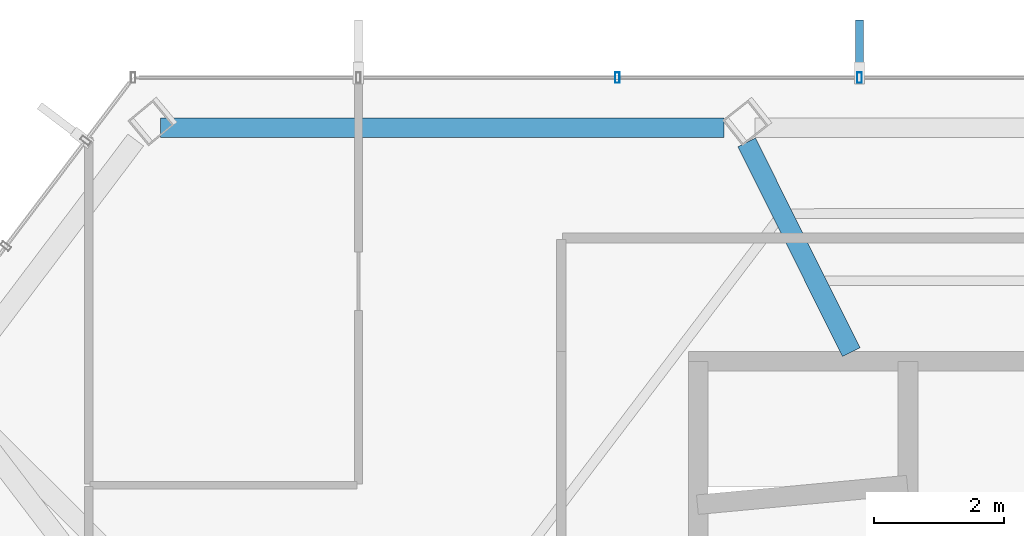
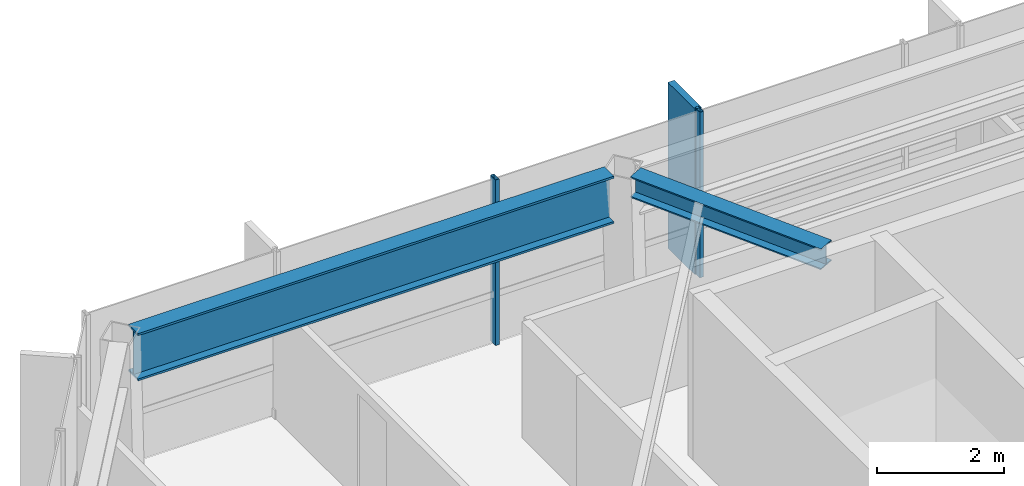
# One storey, part 12 of 25: 3 members, 2 beams, 1 element without a shape of its own.
"""IFC4 building model written with IfcOpenShell, lengths in metres."""

from ifc_helpers import new_model, si_unit, direction, frame, origin, origin_2d, place, context, subcontext, project, spatial, rectangle, hollow_rectangle, i_section, extrude, material, layer, layer_set, material_profile, profile_set, type_object, element, aggregate, save


model = new_model("IFC4")

# Units and contexts
model_context = context("Model", 3, precision=1e-05, world=origin(), true_north=direction((0.0, 1.0)))
body_context = subcontext(model_context, "Body", "Model", "MODEL_VIEW")
ifc_project = project(units=[si_unit("LENGTHUNIT", "METRE"), si_unit("AREAUNIT", "SQUARE_METRE"), si_unit("VOLUMEUNIT", "CUBIC_METRE"), si_unit("PLANEANGLEUNIT", "RADIAN"), si_unit("MASSUNIT", "GRAM", prefix="KILO")], contexts=[model_context])

# Site, building, storey
site_placement = place(None, origin())
site = spatial("IfcSite", under=ifc_project, at=site_placement, CompositionType="ELEMENT")
building_placement = place(site_placement, origin())
building = spatial("IfcBuilding", under=site, at=building_placement, Name="Zarrinselat Tower", CompositionType="ELEMENT")
storey_placement = place(building_placement, frame((0.0, 0.0, 275.39990234375)))
storey = spatial("IfcBuildingStorey", under=building, at=storey_placement, Name="L70", CompositionType="ELEMENT", Elevation=275.39990234375)

# Beams
ifc_material_1 = material(Name="Steel S355J2", Category="steel")
ifc_material_profile_1 = material_profile(ifc_material_1, i_section(OverallWidth=0.300048828125, OverallDepth=0.39990234375, WebThickness=0.013427734375, FlangeThickness=0.02392578125, at=origin_2d()), Name="HEB 400")
ifc_profile_set_1 = profile_set([ifc_material_profile_1], Name="Steel S355J2")
beam_type_1 = type_object("IfcBeamType", Name="BM-HEB400", PredefinedType="BEAM", material=ifc_profile_set_1)
beam_1_placement = place(storey_placement, frame((29.395751953125, 46.7578125, 2.97998046875), z_axis=(0.446181193945, -0.894942647419, 0.0), x_axis=(0.894942647419, 0.446181193945, 0.0)))
element("IfcBeam", 1, at=beam_1_placement, inside=storey, type_object=beam_type_1, Name="L70 Radial Primary Girder RG04", PredefinedType="BEAM", context=body_context, shape_type="SweptSolid", body=[
    extrude(i_section(OverallWidth=0.300048828125, OverallDepth=0.39990234375, WebThickness=0.013427734375, FlangeThickness=0.02392578125, at=origin_2d()), origin(), (0.0, 0.0, 1.0), 3.595458984375),
])
ifc_material_2 = material(Name="Steel S460M", Category="steel")
ifc_material_profile_2 = material_profile(ifc_material_2, i_section(OverallWidth=0.302001953125, OverallDepth=0.909912109375, WebThickness=0.02099609375, FlangeThickness=0.0400390625, at=origin_2d()), Name="HEM 900")
ifc_profile_set_2 = profile_set([ifc_material_profile_2], Name="Steel S460M")
beam_type_2 = type_object("IfcBeamType", Name="BM-HEM900", PredefinedType="BEAM", material=ifc_profile_set_2)
beam_2_placement = place(storey_placement, frame((20.40478515625, 46.9833984375, 2.72509765625), z_axis=(1.0, 0.0, 0.0), x_axis=(0.0, 1.0, 0.0)))
element("IfcBeam", 2, at=beam_2_placement, inside=storey, type_object=beam_type_2, Name="L70 Perimeter Spandrel Girder SP04", PredefinedType="BEAM", context=body_context, shape_type="SweptSolid", body=[
    extrude(i_section(OverallWidth=0.302001953125, OverallDepth=0.909912109375, WebThickness=0.02099609375, FlangeThickness=0.0400390625, at=origin_2d()), origin(), (0.0, 0.0, 1.0), 8.640625),
])

# Curtain wall, members
ifc_material_3 = material(Name="Extruded Aluminium Alloy EN AW-6063 T6", Category="aluminium")
ifc_layer = layer(ifc_material_3, 0.169921875)
ifc_layer_set = layer_set([ifc_layer], Name="Extruded Aluminium Alloy EN AW-6063 T6")
curtain_wall_type = type_object("IfcCurtainWallType", Name="CWS-RES", PredefinedType="NOTDEFINED", material=ifc_layer_set)
curtain_wall_placement = place(storey_placement, origin())
curtain_wall = element("IfcCurtainWall", 3, at=curtain_wall_placement, inside=storey, type_object=curtain_wall_type, Name="L70 Unitised Curtain Wall CW-L70-E01", PredefinedType="NOTDEFINED")
ifc_material_4 = material(Name="Extruded Aluminium Alloy EN AW-6063 T6", Category="aluminium")
ifc_material_profile_3 = material_profile(ifc_material_4, hollow_rectangle(XDim=0.070068359375, YDim=0.159912109375, WallThickness=0.00390625, at=origin_2d()), Name="RHS 160x70x4")
ifc_profile_set_3 = profile_set([ifc_material_profile_3], Name="Extruded Aluminium Alloy EN AW-6063 T6")
member_type_1 = type_object("IfcMemberType", Name="MEM-CW-MUL2", PredefinedType="MULLION", material=ifc_profile_set_3)
member_1_placement = place(storey_placement, frame((31.12646484375, 47.75, 0.0), z_axis=(0.0, 0.0, 1.0), x_axis=(-1.0, 0.0, 0.0)))
member_1 = element("IfcMember", 4, at=member_1_placement, type_object=member_type_1, Name="CW-L70-E01 Mullion 9", PredefinedType="MULLION", context=body_context, shape_type="SweptSolid", body=[
    extrude(hollow_rectangle(XDim=0.070068359375, YDim=0.159912109375, WallThickness=0.00390625, at=origin_2d()), origin(), (0.0, 0.0, 1.0), 3.18017578125),
])
member_2_placement = place(storey_placement, frame((27.412353515625, 47.75, 0.0), z_axis=(0.0, 0.0, 1.0), x_axis=(-1.0, 0.0, 0.0)))
member_2 = element("IfcMember", 5, at=member_2_placement, type_object=member_type_1, Name="CW-L70-E01 Mullion 10", PredefinedType="MULLION", context=body_context, shape_type="SweptSolid", body=[
    extrude(hollow_rectangle(XDim=0.070068359375, YDim=0.159912109375, WallThickness=0.00390625, at=origin_2d()), origin(), (0.0, 0.0, 1.0), 3.18017578125),
])
ifc_material_5 = material(Name="Honed Cream Travertine Stone", Category="masonry")
ifc_material_profile_4 = material_profile(ifc_material_5, rectangle(XDim=0.1201171875, YDim=0.85009765625, at=origin_2d()), Name="FIN 850x120")
ifc_profile_set_4 = profile_set([ifc_material_profile_4], Name="Honed Cream Travertine Stone")
member_type_2 = type_object("IfcMemberType", Name="MEM-STONE-FIN", PredefinedType="USERDEFINED", material=ifc_profile_set_4)
member_3_placement = place(storey_placement, frame((31.12646484375, 48.2099609375, 0.0), z_axis=(0.0, 0.0, 1.0), x_axis=(1.0, 0.0, 0.0)))
member_3 = element("IfcMember", 6, at=member_3_placement, type_object=member_type_2, Name="L70 Stone Shading Fin CW-L70-E01-09", ObjectType="FIN", PredefinedType="USERDEFINED", context=body_context, shape_type="SweptSolid", body=[
    extrude(rectangle(XDim=0.1201171875, YDim=0.85009765625, at=origin_2d()), origin(), (0.0, 0.0, 1.0), 3.18017578125),
])
aggregate(curtain_wall, [member_1, member_3, member_2])

save(model, "model.ifc")
